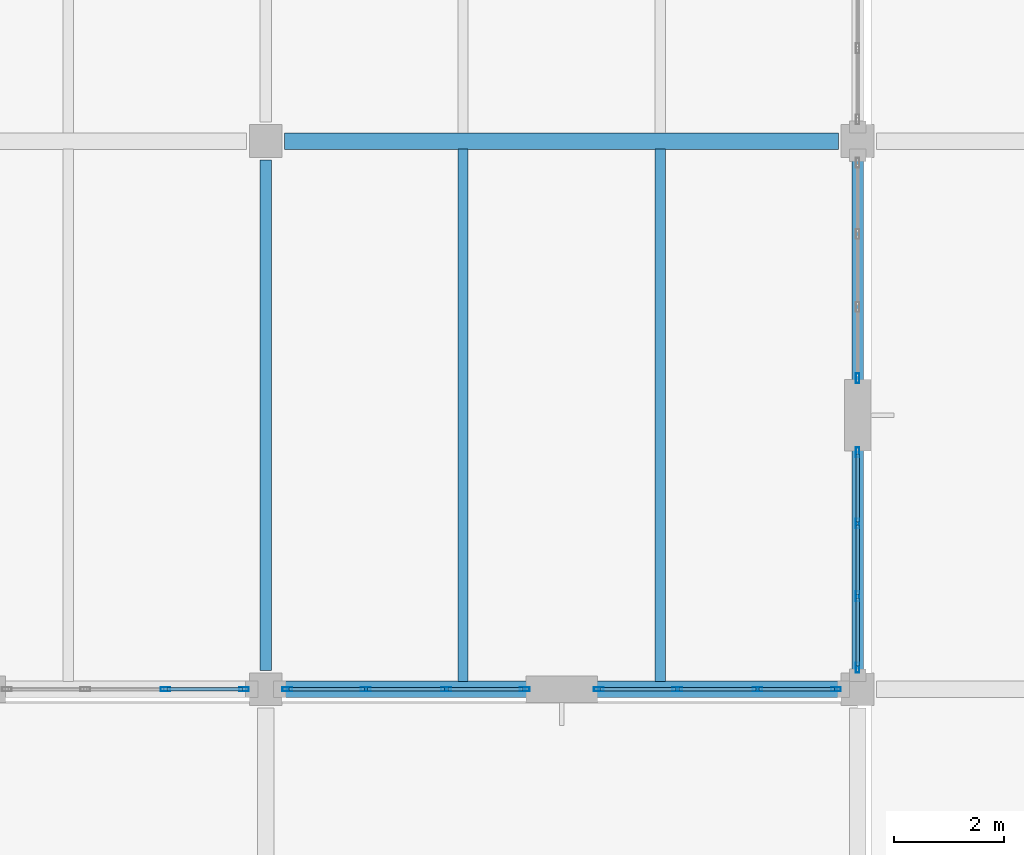
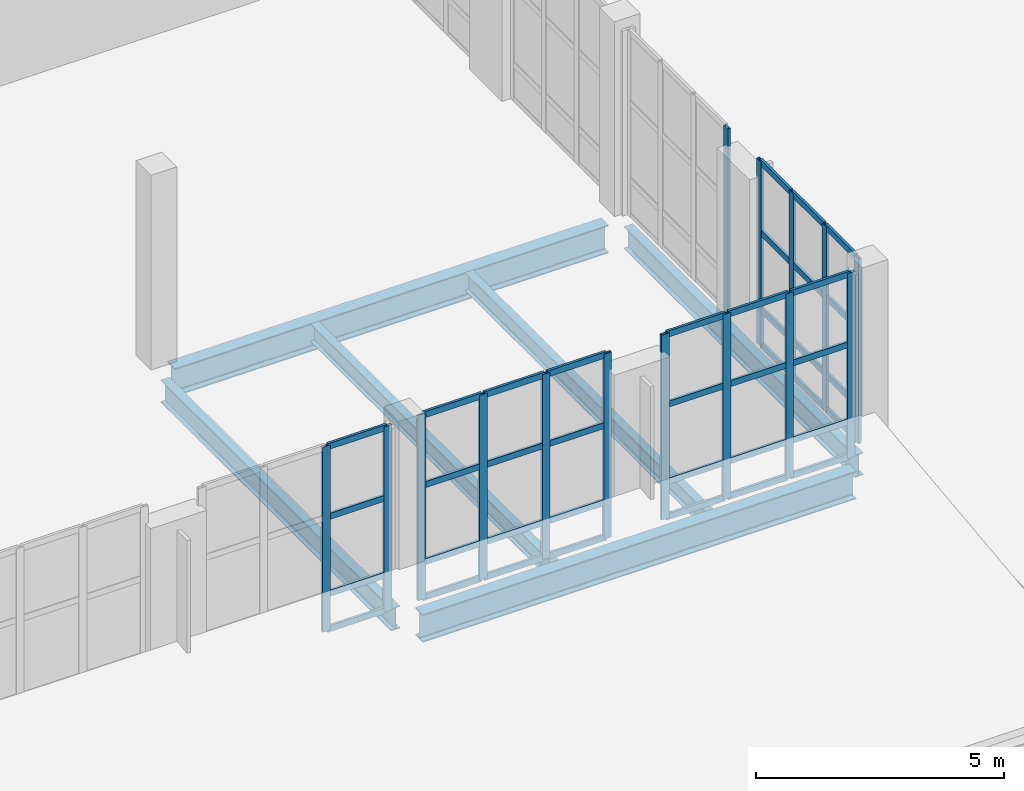
# One storey, part 58 of 100: 55 members, 6 beams, 5 elements without a shape of their own.
"""IFC4 building model written with IfcOpenShell, lengths in metres."""

from ifc_helpers import new_model, si_unit, direction, frame, origin, origin_2d, place, context, subcontext, project, spatial, hollow_rectangle, i_section, extrude, material, layer, layer_set, material_profile, profile_set, type_object, element, aggregate, save


model = new_model("IFC4")

# Units and contexts
model_context = context("Model", 3, precision=1e-05, world=origin(), true_north=direction((0.0, 1.0)))
body_context = subcontext(model_context, "Body", "Model", "MODEL_VIEW")
ifc_project = project(units=[si_unit("LENGTHUNIT", "METRE"), si_unit("AREAUNIT", "SQUARE_METRE"), si_unit("VOLUMEUNIT", "CUBIC_METRE"), si_unit("PLANEANGLEUNIT", "RADIAN"), si_unit("MASSUNIT", "GRAM", prefix="KILO")], contexts=[model_context])

# Site, building, storey
site_placement = place(None, origin())
site = spatial("IfcSite", under=ifc_project, at=site_placement, CompositionType="ELEMENT")
building_placement = place(site_placement, origin())
building = spatial("IfcBuilding", under=site, at=building_placement, Name="Tasgan Crest Museum", CompositionType="ELEMENT")
storey_placement = place(building_placement, frame((0.0, 0.0, 9.60009765625)))
storey = spatial("IfcBuildingStorey", under=building, at=storey_placement, Name="L02", CompositionType="ELEMENT", Elevation=9.60009765625)

# Beams
ifc_material_1 = material(Name="Steel S355K2", Category="steel")
ifc_material_profile_1 = material_profile(ifc_material_1, i_section(OverallWidth=0.300048828125, OverallDepth=0.68994140625, WebThickness=0.014404296875, FlangeThickness=0.027099609375, FilletRadius=0.027099609375, at=origin_2d()), Name="HEA 700")
ifc_profile_set_1 = profile_set([ifc_material_profile_1], Name="Steel S355K2")
beam_type_1 = type_object("IfcBeamType", Name="BM-G-HEA700", PredefinedType="BEAM", material=ifc_profile_set_1)
for number, where, z_axis, x_axis, name in (
    (1, (129.946044921875, 20.0, -0.625), (1.0, 0.0, 0.0), (0.0, 1.0, 0.0), "Girder L02 C 129.6-140.4"),
    (2, (129.946044921875, 30.0, -0.625), (1.0, 0.0, 0.0), (0.0, 1.0, 0.0), "Girder L02 D 129.6-140.4"),
):
    element("IfcBeam", number, at=place(storey_placement, frame(where, z_axis=z_axis, x_axis=x_axis)), inside=storey, type_object=beam_type_1, Name=name, PredefinedType="BEAM", context=body_context, shape_type="SweptSolid", body=[
        extrude(i_section(OverallWidth=0.300048828125, OverallDepth=0.68994140625, WebThickness=0.014404296875, FlangeThickness=0.027099609375, FilletRadius=0.027099609375, at=origin_2d()), origin(), (0.0, 0.0, 1.0), 10.10791015625),
    ])
ifc_material_2 = material(Name="Steel S355J2", Category="steel")
ifc_material_profile_2 = material_profile(ifc_material_2, i_section(OverallWidth=0.2099609375, OverallDepth=0.550048828125, WebThickness=0.010986328125, FlangeThickness=0.01708984375, FilletRadius=0.02392578125, at=origin_2d()), Name="IPE 550")
ifc_profile_set_2 = profile_set([ifc_material_profile_2], Name="Steel S355J2")
beam_type_2 = type_object("IfcBeamType", Name="BM-G-IPE550", PredefinedType="BEAM", material=ifc_profile_set_2)
for number, where, z_axis, x_axis, name in (
    (3, (129.60009765625, 20.344970703125, -0.55517578125), (0.0, 1.0, 0.0), (-1.0, 0.0, 0.0), "Beam L02 13 20.0-30.0"),
    (4, (140.39990234375, 20.344970703125, -0.55517578125), (0.0, 1.0, 0.0), (-1.0, 0.0, 0.0), "Beam L02 14 20.0-30.0"),
):
    element("IfcBeam", number, at=place(storey_placement, frame(where, z_axis=z_axis, x_axis=x_axis)), inside=storey, type_object=beam_type_2, Name=name, PredefinedType="BEAM", context=body_context, shape_type="SweptSolid", body=[
        extrude(i_section(OverallWidth=0.2099609375, OverallDepth=0.550048828125, WebThickness=0.010986328125, FlangeThickness=0.01708984375, FilletRadius=0.02392578125, at=origin_2d()), origin(), (0.0, 0.0, 1.0), 9.31005859375),
    ])
ifc_material_3 = material(Name="Steel S355J2", Category="steel")
ifc_material_profile_3 = material_profile(ifc_material_3, i_section(OverallWidth=0.18994140625, OverallDepth=0.449951171875, WebThickness=0.009521484375, FlangeThickness=0.0146484375, FilletRadius=0.02099609375, at=origin_2d()), Name="IPE 450")
ifc_profile_set_3 = profile_set([ifc_material_profile_3], Name="Steel S355J2")
beam_type_3 = type_object("IfcBeamType", Name="BM-J-IPE450", PredefinedType="JOIST", material=ifc_profile_set_3)
for number, where, z_axis, x_axis, name in (
    (5, (133.199951171875, 20.14501953125, -0.505126953125), (0.0, 1.0, 0.0), (-1.0, 0.0, 0.0), "Secondary joist L02 X=133.2 Y=20.0-30.0"),
    (6, (136.800048828125, 20.14501953125, -0.505126953125), (0.0, 1.0, 0.0), (-1.0, 0.0, 0.0), "Secondary joist L02 X=136.8 Y=20.0-30.0"),
):
    element("IfcBeam", number, at=place(storey_placement, frame(where, z_axis=z_axis, x_axis=x_axis)), inside=storey, type_object=beam_type_3, Name=name, PredefinedType="JOIST", context=body_context, shape_type="SweptSolid", body=[
        extrude(i_section(OverallWidth=0.18994140625, OverallDepth=0.449951171875, WebThickness=0.009521484375, FlangeThickness=0.0146484375, FilletRadius=0.02099609375, at=origin_2d()), origin(), (0.0, 0.0, 1.0), 9.7099609375),
    ])

# Curtain wall, members
ifc_material_4 = material(Name="Triple-Glazed Aluminium Curtain Wall", Category="aluminium")
ifc_layer_1 = layer(ifc_material_4, 0.179931640625, Name="CW-GAL-X-48")
ifc_layer_set_1 = layer_set([ifc_layer_1], Name="Triple-Glazed Aluminium Curtain Wall")
curtain_wall_type_1 = type_object("IfcCurtainWallType", Name="CW-GAL-X-48", PredefinedType="NOTDEFINED", material=ifc_layer_set_1)
curtain_wall_1_placement = place(storey_placement, origin())
curtain_wall_1 = element("IfcCurtainWall", 7, at=curtain_wall_1_placement, inside=storey, type_object=curtain_wall_type_1, Name="Curtain wall L02 068", PredefinedType="NOTDEFINED")
ifc_material_5 = material(Name="Anodised Aluminium", Category="aluminium")
ifc_material_profile_4 = material_profile(ifc_material_5, hollow_rectangle(XDim=0.06494140625, YDim=0.179931640625, WallThickness=0.0048828125, at=origin_2d()), Name="ALU MULLION 180x65x5")
ifc_profile_set_4 = profile_set([ifc_material_profile_4], Name="Anodised Aluminium")
member_type_1 = type_object("IfcMemberType", Name="CW-MULLION-180", PredefinedType="MULLION", material=ifc_profile_set_4)
member_1_placement = place(storey_placement, frame((127.771728515625, 20.0, 0.0), z_axis=(0.0, 0.0, 1.0), x_axis=(0.0, 1.0, 0.0)))
member_1 = element("IfcMember", 8, at=member_1_placement, type_object=member_type_1, Name="CW13 mullion 3", PredefinedType="MULLION", context=body_context, shape_type="SweptSolid", body=[
    extrude(hollow_rectangle(XDim=0.06494140625, YDim=0.179931640625, WallThickness=0.0048828125, at=origin_2d()), origin(), (0.0, 0.0, 1.0), 4.559814453125),
])
member_2_placement = place(storey_placement, frame((129.205078125, 20.0, 0.0), z_axis=(0.0, 0.0, 1.0), x_axis=(0.0, 1.0, 0.0)))
member_2 = element("IfcMember", 9, at=member_2_placement, type_object=member_type_1, Name="CW13 mullion 4", PredefinedType="MULLION", context=body_context, shape_type="SweptSolid", body=[
    extrude(hollow_rectangle(XDim=0.06494140625, YDim=0.179931640625, WallThickness=0.0048828125, at=origin_2d()), origin(), (0.0, 0.0, 1.0), 4.559814453125),
])

curtain_wall_2_placement = place(storey_placement, origin())
curtain_wall_2 = element("IfcCurtainWall", 10, at=curtain_wall_2_placement, inside=storey, type_object=curtain_wall_type_1, Name="Curtain wall L02 069", PredefinedType="NOTDEFINED")
member_3_placement = place(storey_placement, frame((129.9951171875, 20.0, 0.0), z_axis=(0.0, 0.0, 1.0), x_axis=(0.0, 1.0, 0.0)))
member_3 = element("IfcMember", 11, at=member_3_placement, type_object=member_type_1, Name="CW13 mullion 1", PredefinedType="MULLION", context=body_context, shape_type="SweptSolid", body=[
    extrude(hollow_rectangle(XDim=0.06494140625, YDim=0.179931640625, WallThickness=0.0048828125, at=origin_2d()), origin(), (0.0, 0.0, 1.0), 4.559814453125),
])
member_4_placement = place(storey_placement, frame((131.42822265625, 20.0, 0.0), z_axis=(0.0, 0.0, 1.0), x_axis=(0.0, 1.0, 0.0)))
member_4 = element("IfcMember", 12, at=member_4_placement, type_object=member_type_1, Name="CW13 mullion 2", PredefinedType="MULLION", context=body_context, shape_type="SweptSolid", body=[
    extrude(hollow_rectangle(XDim=0.06494140625, YDim=0.179931640625, WallThickness=0.0048828125, at=origin_2d()), origin(), (0.0, 0.0, 1.0), 4.559814453125),
])
member_5_placement = place(storey_placement, frame((132.8916015625, 20.0, 0.0), z_axis=(0.0, 0.0, 1.0), x_axis=(0.0, 1.0, 0.0)))
member_5 = element("IfcMember", 13, at=member_5_placement, type_object=member_type_1, Name="CW13 mullion 3", PredefinedType="MULLION", context=body_context, shape_type="SweptSolid", body=[
    extrude(hollow_rectangle(XDim=0.06494140625, YDim=0.179931640625, WallThickness=0.0048828125, at=origin_2d()), origin(), (0.0, 0.0, 1.0), 4.559814453125),
])
member_6_placement = place(storey_placement, frame((134.324951171875, 20.0, 0.0), z_axis=(0.0, 0.0, 1.0), x_axis=(0.0, 1.0, 0.0)))
member_6 = element("IfcMember", 14, at=member_6_placement, type_object=member_type_1, Name="CW13 mullion 4", PredefinedType="MULLION", context=body_context, shape_type="SweptSolid", body=[
    extrude(hollow_rectangle(XDim=0.06494140625, YDim=0.179931640625, WallThickness=0.0048828125, at=origin_2d()), origin(), (0.0, 0.0, 1.0), 4.559814453125),
])

curtain_wall_3_placement = place(storey_placement, origin())
curtain_wall_3 = element("IfcCurtainWall", 15, at=curtain_wall_3_placement, inside=storey, type_object=curtain_wall_type_1, Name="Curtain wall L02 070", PredefinedType="NOTDEFINED")
member_7_placement = place(storey_placement, frame((135.675048828125, 20.0, 0.0), z_axis=(0.0, 0.0, 1.0), x_axis=(0.0, 1.0, 0.0)))
member_7 = element("IfcMember", 16, at=member_7_placement, type_object=member_type_1, Name="CW13 mullion 1", PredefinedType="MULLION", context=body_context, shape_type="SweptSolid", body=[
    extrude(hollow_rectangle(XDim=0.06494140625, YDim=0.179931640625, WallThickness=0.0048828125, at=origin_2d()), origin(), (0.0, 0.0, 1.0), 4.559814453125),
])
member_8_placement = place(storey_placement, frame((137.1083984375, 20.0, 0.0), z_axis=(0.0, 0.0, 1.0), x_axis=(0.0, 1.0, 0.0)))
member_8 = element("IfcMember", 17, at=member_8_placement, type_object=member_type_1, Name="CW13 mullion 2", PredefinedType="MULLION", context=body_context, shape_type="SweptSolid", body=[
    extrude(hollow_rectangle(XDim=0.06494140625, YDim=0.179931640625, WallThickness=0.0048828125, at=origin_2d()), origin(), (0.0, 0.0, 1.0), 4.559814453125),
])
member_9_placement = place(storey_placement, frame((138.57177734375, 20.0, 0.0), z_axis=(0.0, 0.0, 1.0), x_axis=(0.0, 1.0, 0.0)))
member_9 = element("IfcMember", 18, at=member_9_placement, type_object=member_type_1, Name="CW13 mullion 3", PredefinedType="MULLION", context=body_context, shape_type="SweptSolid", body=[
    extrude(hollow_rectangle(XDim=0.06494140625, YDim=0.179931640625, WallThickness=0.0048828125, at=origin_2d()), origin(), (0.0, 0.0, 1.0), 4.559814453125),
])
member_10_placement = place(storey_placement, frame((140.0048828125, 20.0, 0.0), z_axis=(0.0, 0.0, 1.0), x_axis=(0.0, 1.0, 0.0)))
member_10 = element("IfcMember", 19, at=member_10_placement, type_object=member_type_1, Name="CW13 mullion 4", PredefinedType="MULLION", context=body_context, shape_type="SweptSolid", body=[
    extrude(hollow_rectangle(XDim=0.06494140625, YDim=0.179931640625, WallThickness=0.0048828125, at=origin_2d()), origin(), (0.0, 0.0, 1.0), 4.559814453125),
])

ifc_material_6 = material(Name="Triple-Glazed Aluminium Curtain Wall", Category="aluminium")
ifc_layer_2 = layer(ifc_material_6, 0.179931640625, Name="CW-GAL-Y-48")
ifc_layer_set_2 = layer_set([ifc_layer_2], Name="Triple-Glazed Aluminium Curtain Wall")
curtain_wall_type_2 = type_object("IfcCurtainWallType", Name="CW-GAL-Y-48", PredefinedType="NOTDEFINED", material=ifc_layer_set_2)
curtain_wall_4_placement = place(storey_placement, origin())
curtain_wall_4 = element("IfcCurtainWall", 20, at=curtain_wall_4_placement, inside=storey, type_object=curtain_wall_type_2, Name="Curtain wall L02 071", PredefinedType="NOTDEFINED")
member_11_placement = place(storey_placement, frame((140.39990234375, 20.39501953125, 0.0), z_axis=(0.0, 0.0, 1.0), x_axis=(-1.0, 0.0, 0.0)))
member_11 = element("IfcMember", 21, at=member_11_placement, type_object=member_type_1, Name="CW16 mullion 1", PredefinedType="MULLION", context=body_context, shape_type="SweptSolid", body=[
    extrude(hollow_rectangle(XDim=0.06494140625, YDim=0.179931640625, WallThickness=0.0048828125, at=origin_2d()), origin(), (0.0, 0.0, 1.0), 4.559814453125),
])
member_12_placement = place(storey_placement, frame((140.39990234375, 21.695068359375, 0.0), z_axis=(0.0, 0.0, 1.0), x_axis=(-1.0, 0.0, 0.0)))
member_12 = element("IfcMember", 22, at=member_12_placement, type_object=member_type_1, Name="CW16 mullion 2", PredefinedType="MULLION", context=body_context, shape_type="SweptSolid", body=[
    extrude(hollow_rectangle(XDim=0.06494140625, YDim=0.179931640625, WallThickness=0.0048828125, at=origin_2d()), origin(), (0.0, 0.0, 1.0), 4.559814453125),
])
member_13_placement = place(storey_placement, frame((140.39990234375, 23.02490234375, 0.0), z_axis=(0.0, 0.0, 1.0), x_axis=(-1.0, 0.0, 0.0)))
member_13 = element("IfcMember", 23, at=member_13_placement, type_object=member_type_1, Name="CW16 mullion 3", PredefinedType="MULLION", context=body_context, shape_type="SweptSolid", body=[
    extrude(hollow_rectangle(XDim=0.06494140625, YDim=0.179931640625, WallThickness=0.0048828125, at=origin_2d()), origin(), (0.0, 0.0, 1.0), 4.559814453125),
])
member_14_placement = place(storey_placement, frame((140.39990234375, 24.324951171875, 0.0), z_axis=(0.0, 0.0, 1.0), x_axis=(-1.0, 0.0, 0.0)))
member_14 = element("IfcMember", 24, at=member_14_placement, type_object=member_type_1, Name="CW16 mullion 4", PredefinedType="MULLION", context=body_context, shape_type="SweptSolid", body=[
    extrude(hollow_rectangle(XDim=0.06494140625, YDim=0.179931640625, WallThickness=0.0048828125, at=origin_2d()), origin(), (0.0, 0.0, 1.0), 4.559814453125),
])

# Curtain wall, member
curtain_wall_5_placement = place(storey_placement, origin())
curtain_wall_5 = element("IfcCurtainWall", 25, at=curtain_wall_5_placement, inside=storey, type_object=curtain_wall_type_2, Name="Curtain wall L02 072", PredefinedType="NOTDEFINED")
member_15_placement = place(storey_placement, frame((140.39990234375, 25.675048828125, 0.0), z_axis=(0.0, 0.0, 1.0), x_axis=(-1.0, 0.0, 0.0)))
member_15 = element("IfcMember", 26, at=member_15_placement, type_object=member_type_1, Name="CW16 mullion 1", PredefinedType="MULLION", context=body_context, shape_type="SweptSolid", body=[
    extrude(hollow_rectangle(XDim=0.06494140625, YDim=0.179931640625, WallThickness=0.0048828125, at=origin_2d()), origin(), (0.0, 0.0, 1.0), 4.559814453125),
])
aggregate(curtain_wall_5, [member_15])

# Member
ifc_material_7 = material(Name="Anodised Aluminium", Category="aluminium")
ifc_material_profile_5 = material_profile(ifc_material_7, hollow_rectangle(XDim=0.06005859375, YDim=0.14990234375, WallThickness=0.0048828125, at=origin_2d()), Name="ALU TRANSOM 150x60x5")
ifc_profile_set_5 = profile_set([ifc_material_profile_5], Name="Anodised Aluminium")
member_type_2 = type_object("IfcMemberType", Name="CW-TRANSOM-150", PredefinedType="USERDEFINED", material=ifc_profile_set_5)
member_16_placement = place(storey_placement, frame((127.8017578125, 20.0, 0.02978515625), z_axis=(1.0, 0.0, 0.0), x_axis=(0.0, 1.0, 0.0)))
member_16 = element("IfcMember", 27, at=member_16_placement, type_object=member_type_2, Name="CW13 transom 3.1", ObjectType="TRANSOM", PredefinedType="USERDEFINED", context=body_context, shape_type="SweptSolid", body=[
    extrude(hollow_rectangle(XDim=0.06005859375, YDim=0.14990234375, WallThickness=0.0048828125, at=origin_2d()), origin(), (0.0, 0.0, 1.0), 1.373291015625),
])

member_17_placement = place(storey_placement, frame((127.8017578125, 20.0, 0.89990234375), z_axis=(1.0, 0.0, 0.0), x_axis=(0.0, 1.0, 0.0)))
member_17 = element("IfcMember", 28, at=member_17_placement, type_object=member_type_2, Name="CW13 transom 3.2", ObjectType="TRANSOM", PredefinedType="USERDEFINED", context=body_context, shape_type="SweptSolid", body=[
    extrude(hollow_rectangle(XDim=0.06005859375, YDim=0.14990234375, WallThickness=0.0048828125, at=origin_2d()), origin(), (0.0, 0.0, 1.0), 1.373291015625),
])

member_18_placement = place(storey_placement, frame((127.8017578125, 20.0, 2.7998046875), z_axis=(1.0, 0.0, 0.0), x_axis=(0.0, 1.0, 0.0)))
member_18 = element("IfcMember", 29, at=member_18_placement, type_object=member_type_2, Name="CW13 transom 3.3", ObjectType="TRANSOM", PredefinedType="USERDEFINED", context=body_context, shape_type="SweptSolid", body=[
    extrude(hollow_rectangle(XDim=0.06005859375, YDim=0.14990234375, WallThickness=0.0048828125, at=origin_2d()), origin(), (0.0, 0.0, 1.0), 1.373291015625),
])

member_19_placement = place(storey_placement, frame((127.8017578125, 20.0, 4.52978515625), z_axis=(1.0, 0.0, 0.0), x_axis=(0.0, 1.0, 0.0)))
member_19 = element("IfcMember", 30, at=member_19_placement, type_object=member_type_2, Name="CW13 transom 3.4", ObjectType="TRANSOM", PredefinedType="USERDEFINED", context=body_context, shape_type="SweptSolid", body=[
    extrude(hollow_rectangle(XDim=0.06005859375, YDim=0.14990234375, WallThickness=0.0048828125, at=origin_2d()), origin(), (0.0, 0.0, 1.0), 1.373291015625),
])

aggregate(curtain_wall_1, [member_1, member_2, member_16, member_17, member_18, member_19])

member_20_placement = place(storey_placement, frame((130.02490234375, 20.0, 0.02978515625), z_axis=(1.0, 0.0, 0.0), x_axis=(0.0, 1.0, 0.0)))
member_20 = element("IfcMember", 31, at=member_20_placement, type_object=member_type_2, Name="CW13 transom 1.1", ObjectType="TRANSOM", PredefinedType="USERDEFINED", context=body_context, shape_type="SweptSolid", body=[
    extrude(hollow_rectangle(XDim=0.06005859375, YDim=0.14990234375, WallThickness=0.0048828125, at=origin_2d()), origin(), (0.0, 0.0, 1.0), 1.37353515625),
])

member_21_placement = place(storey_placement, frame((130.02490234375, 20.0, 0.89990234375), z_axis=(1.0, 0.0, 0.0), x_axis=(0.0, 1.0, 0.0)))
member_21 = element("IfcMember", 32, at=member_21_placement, type_object=member_type_2, Name="CW13 transom 1.2", ObjectType="TRANSOM", PredefinedType="USERDEFINED", context=body_context, shape_type="SweptSolid", body=[
    extrude(hollow_rectangle(XDim=0.06005859375, YDim=0.14990234375, WallThickness=0.0048828125, at=origin_2d()), origin(), (0.0, 0.0, 1.0), 1.37353515625),
])

member_22_placement = place(storey_placement, frame((130.02490234375, 20.0, 2.7998046875), z_axis=(1.0, 0.0, 0.0), x_axis=(0.0, 1.0, 0.0)))
member_22 = element("IfcMember", 33, at=member_22_placement, type_object=member_type_2, Name="CW13 transom 1.3", ObjectType="TRANSOM", PredefinedType="USERDEFINED", context=body_context, shape_type="SweptSolid", body=[
    extrude(hollow_rectangle(XDim=0.06005859375, YDim=0.14990234375, WallThickness=0.0048828125, at=origin_2d()), origin(), (0.0, 0.0, 1.0), 1.37353515625),
])

member_23_placement = place(storey_placement, frame((130.02490234375, 20.0, 4.52978515625), z_axis=(1.0, 0.0, 0.0), x_axis=(0.0, 1.0, 0.0)))
member_23 = element("IfcMember", 34, at=member_23_placement, type_object=member_type_2, Name="CW13 transom 1.4", ObjectType="TRANSOM", PredefinedType="USERDEFINED", context=body_context, shape_type="SweptSolid", body=[
    extrude(hollow_rectangle(XDim=0.06005859375, YDim=0.14990234375, WallThickness=0.0048828125, at=origin_2d()), origin(), (0.0, 0.0, 1.0), 1.37353515625),
])

member_24_placement = place(storey_placement, frame((131.458251953125, 20.0, 0.02978515625), z_axis=(1.0, 0.0, 0.0), x_axis=(0.0, 1.0, 0.0)))
member_24 = element("IfcMember", 35, at=member_24_placement, type_object=member_type_2, Name="CW13 transom 2.1", ObjectType="TRANSOM", PredefinedType="USERDEFINED", context=body_context, shape_type="SweptSolid", body=[
    extrude(hollow_rectangle(XDim=0.06005859375, YDim=0.14990234375, WallThickness=0.0048828125, at=origin_2d()), origin(), (0.0, 0.0, 1.0), 1.4033203125),
])

member_25_placement = place(storey_placement, frame((131.458251953125, 20.0, 0.89990234375), z_axis=(1.0, 0.0, 0.0), x_axis=(0.0, 1.0, 0.0)))
member_25 = element("IfcMember", 36, at=member_25_placement, type_object=member_type_2, Name="CW13 transom 2.2", ObjectType="TRANSOM", PredefinedType="USERDEFINED", context=body_context, shape_type="SweptSolid", body=[
    extrude(hollow_rectangle(XDim=0.06005859375, YDim=0.14990234375, WallThickness=0.0048828125, at=origin_2d()), origin(), (0.0, 0.0, 1.0), 1.4033203125),
])

member_26_placement = place(storey_placement, frame((131.458251953125, 20.0, 2.7998046875), z_axis=(1.0, 0.0, 0.0), x_axis=(0.0, 1.0, 0.0)))
member_26 = element("IfcMember", 37, at=member_26_placement, type_object=member_type_2, Name="CW13 transom 2.3", ObjectType="TRANSOM", PredefinedType="USERDEFINED", context=body_context, shape_type="SweptSolid", body=[
    extrude(hollow_rectangle(XDim=0.06005859375, YDim=0.14990234375, WallThickness=0.0048828125, at=origin_2d()), origin(), (0.0, 0.0, 1.0), 1.4033203125),
])

member_27_placement = place(storey_placement, frame((131.458251953125, 20.0, 4.52978515625), z_axis=(1.0, 0.0, 0.0), x_axis=(0.0, 1.0, 0.0)))
member_27 = element("IfcMember", 38, at=member_27_placement, type_object=member_type_2, Name="CW13 transom 2.4", ObjectType="TRANSOM", PredefinedType="USERDEFINED", context=body_context, shape_type="SweptSolid", body=[
    extrude(hollow_rectangle(XDim=0.06005859375, YDim=0.14990234375, WallThickness=0.0048828125, at=origin_2d()), origin(), (0.0, 0.0, 1.0), 1.4033203125),
])

member_28_placement = place(storey_placement, frame((132.921630859375, 20.0, 0.02978515625), z_axis=(1.0, 0.0, 0.0), x_axis=(0.0, 1.0, 0.0)))
member_28 = element("IfcMember", 39, at=member_28_placement, type_object=member_type_2, Name="CW13 transom 3.1", ObjectType="TRANSOM", PredefinedType="USERDEFINED", context=body_context, shape_type="SweptSolid", body=[
    extrude(hollow_rectangle(XDim=0.06005859375, YDim=0.14990234375, WallThickness=0.0048828125, at=origin_2d()), origin(), (0.0, 0.0, 1.0), 1.373291015625),
])

member_29_placement = place(storey_placement, frame((132.921630859375, 20.0, 0.89990234375), z_axis=(1.0, 0.0, 0.0), x_axis=(0.0, 1.0, 0.0)))
member_29 = element("IfcMember", 40, at=member_29_placement, type_object=member_type_2, Name="CW13 transom 3.2", ObjectType="TRANSOM", PredefinedType="USERDEFINED", context=body_context, shape_type="SweptSolid", body=[
    extrude(hollow_rectangle(XDim=0.06005859375, YDim=0.14990234375, WallThickness=0.0048828125, at=origin_2d()), origin(), (0.0, 0.0, 1.0), 1.373291015625),
])

member_30_placement = place(storey_placement, frame((132.921630859375, 20.0, 2.7998046875), z_axis=(1.0, 0.0, 0.0), x_axis=(0.0, 1.0, 0.0)))
member_30 = element("IfcMember", 41, at=member_30_placement, type_object=member_type_2, Name="CW13 transom 3.3", ObjectType="TRANSOM", PredefinedType="USERDEFINED", context=body_context, shape_type="SweptSolid", body=[
    extrude(hollow_rectangle(XDim=0.06005859375, YDim=0.14990234375, WallThickness=0.0048828125, at=origin_2d()), origin(), (0.0, 0.0, 1.0), 1.373291015625),
])

member_31_placement = place(storey_placement, frame((132.921630859375, 20.0, 4.52978515625), z_axis=(1.0, 0.0, 0.0), x_axis=(0.0, 1.0, 0.0)))
member_31 = element("IfcMember", 42, at=member_31_placement, type_object=member_type_2, Name="CW13 transom 3.4", ObjectType="TRANSOM", PredefinedType="USERDEFINED", context=body_context, shape_type="SweptSolid", body=[
    extrude(hollow_rectangle(XDim=0.06005859375, YDim=0.14990234375, WallThickness=0.0048828125, at=origin_2d()), origin(), (0.0, 0.0, 1.0), 1.373291015625),
])

aggregate(curtain_wall_2, [member_3, member_4, member_5, member_6, member_20, member_21, member_22, member_23, member_24, member_25, member_26, member_27, member_28, member_29, member_30, member_31])

member_32_placement = place(storey_placement, frame((135.705078125, 20.0, 0.02978515625), z_axis=(1.0, 0.0, 0.0), x_axis=(0.0, 1.0, 0.0)))
member_32 = element("IfcMember", 43, at=member_32_placement, type_object=member_type_2, Name="CW13 transom 1.1", ObjectType="TRANSOM", PredefinedType="USERDEFINED", context=body_context, shape_type="SweptSolid", body=[
    extrude(hollow_rectangle(XDim=0.06005859375, YDim=0.14990234375, WallThickness=0.0048828125, at=origin_2d()), origin(), (0.0, 0.0, 1.0), 1.373291015625),
])

member_33_placement = place(storey_placement, frame((135.705078125, 20.0, 0.89990234375), z_axis=(1.0, 0.0, 0.0), x_axis=(0.0, 1.0, 0.0)))
member_33 = element("IfcMember", 44, at=member_33_placement, type_object=member_type_2, Name="CW13 transom 1.2", ObjectType="TRANSOM", PredefinedType="USERDEFINED", context=body_context, shape_type="SweptSolid", body=[
    extrude(hollow_rectangle(XDim=0.06005859375, YDim=0.14990234375, WallThickness=0.0048828125, at=origin_2d()), origin(), (0.0, 0.0, 1.0), 1.373291015625),
])

member_34_placement = place(storey_placement, frame((135.705078125, 20.0, 2.7998046875), z_axis=(1.0, 0.0, 0.0), x_axis=(0.0, 1.0, 0.0)))
member_34 = element("IfcMember", 45, at=member_34_placement, type_object=member_type_2, Name="CW13 transom 1.3", ObjectType="TRANSOM", PredefinedType="USERDEFINED", context=body_context, shape_type="SweptSolid", body=[
    extrude(hollow_rectangle(XDim=0.06005859375, YDim=0.14990234375, WallThickness=0.0048828125, at=origin_2d()), origin(), (0.0, 0.0, 1.0), 1.373291015625),
])

member_35_placement = place(storey_placement, frame((135.705078125, 20.0, 4.52978515625), z_axis=(1.0, 0.0, 0.0), x_axis=(0.0, 1.0, 0.0)))
member_35 = element("IfcMember", 46, at=member_35_placement, type_object=member_type_2, Name="CW13 transom 1.4", ObjectType="TRANSOM", PredefinedType="USERDEFINED", context=body_context, shape_type="SweptSolid", body=[
    extrude(hollow_rectangle(XDim=0.06005859375, YDim=0.14990234375, WallThickness=0.0048828125, at=origin_2d()), origin(), (0.0, 0.0, 1.0), 1.373291015625),
])

member_36_placement = place(storey_placement, frame((137.138427734375, 20.0, 0.02978515625), z_axis=(1.0, 0.0, 0.0), x_axis=(0.0, 1.0, 0.0)))
member_36 = element("IfcMember", 47, at=member_36_placement, type_object=member_type_2, Name="CW13 transom 2.1", ObjectType="TRANSOM", PredefinedType="USERDEFINED", context=body_context, shape_type="SweptSolid", body=[
    extrude(hollow_rectangle(XDim=0.06005859375, YDim=0.14990234375, WallThickness=0.0048828125, at=origin_2d()), origin(), (0.0, 0.0, 1.0), 1.4033203125),
])

member_37_placement = place(storey_placement, frame((137.138427734375, 20.0, 0.89990234375), z_axis=(1.0, 0.0, 0.0), x_axis=(0.0, 1.0, 0.0)))
member_37 = element("IfcMember", 48, at=member_37_placement, type_object=member_type_2, Name="CW13 transom 2.2", ObjectType="TRANSOM", PredefinedType="USERDEFINED", context=body_context, shape_type="SweptSolid", body=[
    extrude(hollow_rectangle(XDim=0.06005859375, YDim=0.14990234375, WallThickness=0.0048828125, at=origin_2d()), origin(), (0.0, 0.0, 1.0), 1.4033203125),
])

member_38_placement = place(storey_placement, frame((137.138427734375, 20.0, 2.7998046875), z_axis=(1.0, 0.0, 0.0), x_axis=(0.0, 1.0, 0.0)))
member_38 = element("IfcMember", 49, at=member_38_placement, type_object=member_type_2, Name="CW13 transom 2.3", ObjectType="TRANSOM", PredefinedType="USERDEFINED", context=body_context, shape_type="SweptSolid", body=[
    extrude(hollow_rectangle(XDim=0.06005859375, YDim=0.14990234375, WallThickness=0.0048828125, at=origin_2d()), origin(), (0.0, 0.0, 1.0), 1.4033203125),
])

member_39_placement = place(storey_placement, frame((137.138427734375, 20.0, 4.52978515625), z_axis=(1.0, 0.0, 0.0), x_axis=(0.0, 1.0, 0.0)))
member_39 = element("IfcMember", 50, at=member_39_placement, type_object=member_type_2, Name="CW13 transom 2.4", ObjectType="TRANSOM", PredefinedType="USERDEFINED", context=body_context, shape_type="SweptSolid", body=[
    extrude(hollow_rectangle(XDim=0.06005859375, YDim=0.14990234375, WallThickness=0.0048828125, at=origin_2d()), origin(), (0.0, 0.0, 1.0), 1.4033203125),
])

member_40_placement = place(storey_placement, frame((138.6015625, 20.0, 0.02978515625), z_axis=(1.0, 0.0, 0.0), x_axis=(0.0, 1.0, 0.0)))
member_40 = element("IfcMember", 51, at=member_40_placement, type_object=member_type_2, Name="CW13 transom 3.1", ObjectType="TRANSOM", PredefinedType="USERDEFINED", context=body_context, shape_type="SweptSolid", body=[
    extrude(hollow_rectangle(XDim=0.06005859375, YDim=0.14990234375, WallThickness=0.0048828125, at=origin_2d()), origin(), (0.0, 0.0, 1.0), 1.37353515625),
])

member_41_placement = place(storey_placement, frame((138.6015625, 20.0, 0.89990234375), z_axis=(1.0, 0.0, 0.0), x_axis=(0.0, 1.0, 0.0)))
member_41 = element("IfcMember", 52, at=member_41_placement, type_object=member_type_2, Name="CW13 transom 3.2", ObjectType="TRANSOM", PredefinedType="USERDEFINED", context=body_context, shape_type="SweptSolid", body=[
    extrude(hollow_rectangle(XDim=0.06005859375, YDim=0.14990234375, WallThickness=0.0048828125, at=origin_2d()), origin(), (0.0, 0.0, 1.0), 1.37353515625),
])

member_42_placement = place(storey_placement, frame((138.6015625, 20.0, 2.7998046875), z_axis=(1.0, 0.0, 0.0), x_axis=(0.0, 1.0, 0.0)))
member_42 = element("IfcMember", 53, at=member_42_placement, type_object=member_type_2, Name="CW13 transom 3.3", ObjectType="TRANSOM", PredefinedType="USERDEFINED", context=body_context, shape_type="SweptSolid", body=[
    extrude(hollow_rectangle(XDim=0.06005859375, YDim=0.14990234375, WallThickness=0.0048828125, at=origin_2d()), origin(), (0.0, 0.0, 1.0), 1.37353515625),
])

member_43_placement = place(storey_placement, frame((138.6015625, 20.0, 4.52978515625), z_axis=(1.0, 0.0, 0.0), x_axis=(0.0, 1.0, 0.0)))
member_43 = element("IfcMember", 54, at=member_43_placement, type_object=member_type_2, Name="CW13 transom 3.4", ObjectType="TRANSOM", PredefinedType="USERDEFINED", context=body_context, shape_type="SweptSolid", body=[
    extrude(hollow_rectangle(XDim=0.06005859375, YDim=0.14990234375, WallThickness=0.0048828125, at=origin_2d()), origin(), (0.0, 0.0, 1.0), 1.37353515625),
])

aggregate(curtain_wall_3, [member_7, member_8, member_9, member_10, member_32, member_33, member_34, member_35, member_36, member_37, member_38, member_39, member_40, member_41, member_42, member_43])

member_44_placement = place(storey_placement, frame((140.39990234375, 20.425048828125, 0.02978515625), z_axis=(0.0, 1.0, 0.0), x_axis=(-1.0, 0.0, 0.0)))
member_44 = element("IfcMember", 55, at=member_44_placement, type_object=member_type_2, Name="CW16 transom 1.1", ObjectType="TRANSOM", PredefinedType="USERDEFINED", context=body_context, shape_type="SweptSolid", body=[
    extrude(hollow_rectangle(XDim=0.06005859375, YDim=0.14990234375, WallThickness=0.0048828125, at=origin_2d()), origin(), (0.0, 0.0, 1.0), 1.239990234375),
])

member_45_placement = place(storey_placement, frame((140.39990234375, 20.425048828125, 0.89990234375), z_axis=(0.0, 1.0, 0.0), x_axis=(-1.0, 0.0, 0.0)))
member_45 = element("IfcMember", 56, at=member_45_placement, type_object=member_type_2, Name="CW16 transom 1.2", ObjectType="TRANSOM", PredefinedType="USERDEFINED", context=body_context, shape_type="SweptSolid", body=[
    extrude(hollow_rectangle(XDim=0.06005859375, YDim=0.14990234375, WallThickness=0.0048828125, at=origin_2d()), origin(), (0.0, 0.0, 1.0), 1.239990234375),
])

member_46_placement = place(storey_placement, frame((140.39990234375, 20.425048828125, 2.7998046875), z_axis=(0.0, 1.0, 0.0), x_axis=(-1.0, 0.0, 0.0)))
member_46 = element("IfcMember", 57, at=member_46_placement, type_object=member_type_2, Name="CW16 transom 1.3", ObjectType="TRANSOM", PredefinedType="USERDEFINED", context=body_context, shape_type="SweptSolid", body=[
    extrude(hollow_rectangle(XDim=0.06005859375, YDim=0.14990234375, WallThickness=0.0048828125, at=origin_2d()), origin(), (0.0, 0.0, 1.0), 1.239990234375),
])

member_47_placement = place(storey_placement, frame((140.39990234375, 20.425048828125, 4.52978515625), z_axis=(0.0, 1.0, 0.0), x_axis=(-1.0, 0.0, 0.0)))
member_47 = element("IfcMember", 58, at=member_47_placement, type_object=member_type_2, Name="CW16 transom 1.4", ObjectType="TRANSOM", PredefinedType="USERDEFINED", context=body_context, shape_type="SweptSolid", body=[
    extrude(hollow_rectangle(XDim=0.06005859375, YDim=0.14990234375, WallThickness=0.0048828125, at=origin_2d()), origin(), (0.0, 0.0, 1.0), 1.239990234375),
])

member_48_placement = place(storey_placement, frame((140.39990234375, 21.72509765625, 0.02978515625), z_axis=(0.0, 1.0, 0.0), x_axis=(-1.0, 0.0, 0.0)))
member_48 = element("IfcMember", 59, at=member_48_placement, type_object=member_type_2, Name="CW16 transom 2.1", ObjectType="TRANSOM", PredefinedType="USERDEFINED", context=body_context, shape_type="SweptSolid", body=[
    extrude(hollow_rectangle(XDim=0.06005859375, YDim=0.14990234375, WallThickness=0.0048828125, at=origin_2d()), origin(), (0.0, 0.0, 1.0), 1.27001953125),
])

member_49_placement = place(storey_placement, frame((140.39990234375, 21.72509765625, 0.89990234375), z_axis=(0.0, 1.0, 0.0), x_axis=(-1.0, 0.0, 0.0)))
member_49 = element("IfcMember", 60, at=member_49_placement, type_object=member_type_2, Name="CW16 transom 2.2", ObjectType="TRANSOM", PredefinedType="USERDEFINED", context=body_context, shape_type="SweptSolid", body=[
    extrude(hollow_rectangle(XDim=0.06005859375, YDim=0.14990234375, WallThickness=0.0048828125, at=origin_2d()), origin(), (0.0, 0.0, 1.0), 1.27001953125),
])

member_50_placement = place(storey_placement, frame((140.39990234375, 21.72509765625, 2.7998046875), z_axis=(0.0, 1.0, 0.0), x_axis=(-1.0, 0.0, 0.0)))
member_50 = element("IfcMember", 61, at=member_50_placement, type_object=member_type_2, Name="CW16 transom 2.3", ObjectType="TRANSOM", PredefinedType="USERDEFINED", context=body_context, shape_type="SweptSolid", body=[
    extrude(hollow_rectangle(XDim=0.06005859375, YDim=0.14990234375, WallThickness=0.0048828125, at=origin_2d()), origin(), (0.0, 0.0, 1.0), 1.27001953125),
])

member_51_placement = place(storey_placement, frame((140.39990234375, 21.72509765625, 4.52978515625), z_axis=(0.0, 1.0, 0.0), x_axis=(-1.0, 0.0, 0.0)))
member_51 = element("IfcMember", 62, at=member_51_placement, type_object=member_type_2, Name="CW16 transom 2.4", ObjectType="TRANSOM", PredefinedType="USERDEFINED", context=body_context, shape_type="SweptSolid", body=[
    extrude(hollow_rectangle(XDim=0.06005859375, YDim=0.14990234375, WallThickness=0.0048828125, at=origin_2d()), origin(), (0.0, 0.0, 1.0), 1.27001953125),
])

member_52_placement = place(storey_placement, frame((140.39990234375, 23.054931640625, 0.02978515625), z_axis=(0.0, 1.0, 0.0), x_axis=(-1.0, 0.0, 0.0)))
member_52 = element("IfcMember", 63, at=member_52_placement, type_object=member_type_2, Name="CW16 transom 3.1", ObjectType="TRANSOM", PredefinedType="USERDEFINED", context=body_context, shape_type="SweptSolid", body=[
    extrude(hollow_rectangle(XDim=0.06005859375, YDim=0.14990234375, WallThickness=0.0048828125, at=origin_2d()), origin(), (0.0, 0.0, 1.0), 1.239990234375),
])

member_53_placement = place(storey_placement, frame((140.39990234375, 23.054931640625, 0.89990234375), z_axis=(0.0, 1.0, 0.0), x_axis=(-1.0, 0.0, 0.0)))
member_53 = element("IfcMember", 64, at=member_53_placement, type_object=member_type_2, Name="CW16 transom 3.2", ObjectType="TRANSOM", PredefinedType="USERDEFINED", context=body_context, shape_type="SweptSolid", body=[
    extrude(hollow_rectangle(XDim=0.06005859375, YDim=0.14990234375, WallThickness=0.0048828125, at=origin_2d()), origin(), (0.0, 0.0, 1.0), 1.239990234375),
])

member_54_placement = place(storey_placement, frame((140.39990234375, 23.054931640625, 2.7998046875), z_axis=(0.0, 1.0, 0.0), x_axis=(-1.0, 0.0, 0.0)))
member_54 = element("IfcMember", 65, at=member_54_placement, type_object=member_type_2, Name="CW16 transom 3.3", ObjectType="TRANSOM", PredefinedType="USERDEFINED", context=body_context, shape_type="SweptSolid", body=[
    extrude(hollow_rectangle(XDim=0.06005859375, YDim=0.14990234375, WallThickness=0.0048828125, at=origin_2d()), origin(), (0.0, 0.0, 1.0), 1.239990234375),
])

member_55_placement = place(storey_placement, frame((140.39990234375, 23.054931640625, 4.52978515625), z_axis=(0.0, 1.0, 0.0), x_axis=(-1.0, 0.0, 0.0)))
member_55 = element("IfcMember", 66, at=member_55_placement, type_object=member_type_2, Name="CW16 transom 3.4", ObjectType="TRANSOM", PredefinedType="USERDEFINED", context=body_context, shape_type="SweptSolid", body=[
    extrude(hollow_rectangle(XDim=0.06005859375, YDim=0.14990234375, WallThickness=0.0048828125, at=origin_2d()), origin(), (0.0, 0.0, 1.0), 1.239990234375),
])

aggregate(curtain_wall_4, [member_11, member_12, member_13, member_14, member_44, member_45, member_46, member_47, member_48, member_49, member_50, member_51, member_52, member_53, member_54, member_55])

save(model, "model.ifc")
